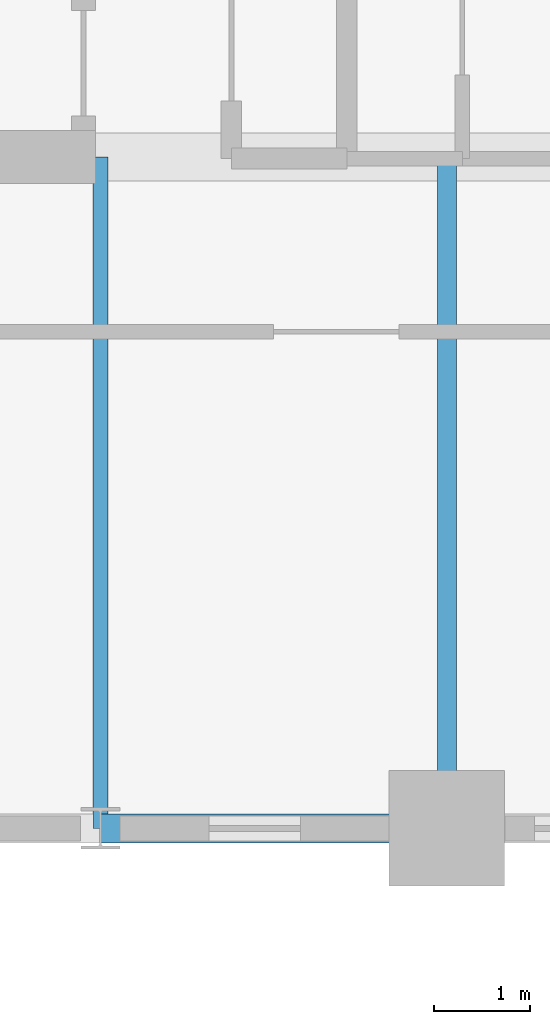
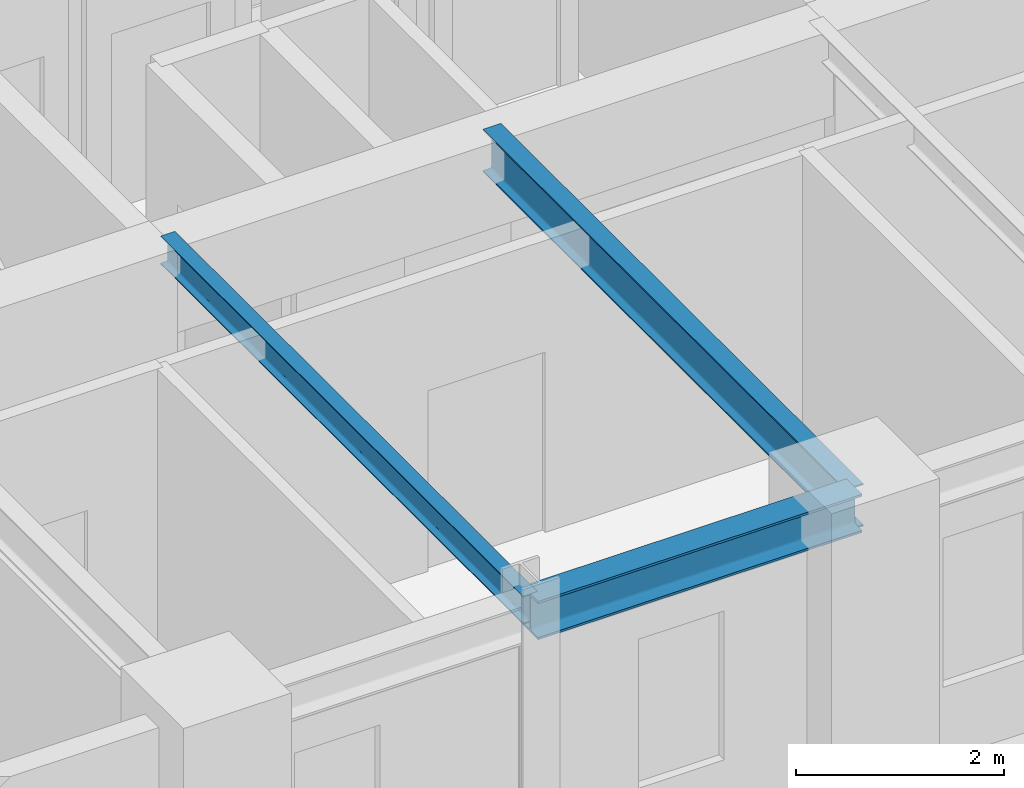
# One storey, part 3 of 17: 3 beams.
"""IFC4 building model written with IfcOpenShell, lengths in metres."""

from ifc_helpers import new_model, si_unit, direction, frame, origin, origin_2d, place, context, subcontext, project, spatial, i_section, extrude, source, transform, mapped, material, material_profile, profile_set, type_object, element, save


model = new_model("IFC4")

# Units and contexts
model_context = context("Model", 3, precision=1e-05, world=origin(), true_north=direction((0.0, 1.0)))
body_context = subcontext(model_context, "Body", "Model", "MODEL_VIEW")
ifc_project = project(units=[si_unit("LENGTHUNIT", "METRE"), si_unit("AREAUNIT", "SQUARE_METRE"), si_unit("VOLUMEUNIT", "CUBIC_METRE"), si_unit("PLANEANGLEUNIT", "RADIAN"), si_unit("MASSUNIT", "GRAM", prefix="KILO")], contexts=[model_context])

# Site, building, storey
site_placement = place(None, origin())
site = spatial("IfcSite", under=ifc_project, at=site_placement, CompositionType="ELEMENT")
building_placement = place(site_placement, origin())
building = spatial("IfcBuilding", under=site, at=building_placement, Name="Kaliganga Portal Commons", CompositionType="ELEMENT")
storey_placement = place(building_placement, frame((0.0, 0.0, 108.199951171875)))
storey = spatial("IfcBuildingStorey", under=building, at=storey_placement, Name="L27", CompositionType="ELEMENT", Elevation=108.199951171875)

# Beams
ifc_material = material(Name="Structural steel S355J2", Category="steel")
ifc_material_profile_1 = material_profile(ifc_material, i_section(OverallWidth=0.199951171875, OverallDepth=0.5, WebThickness=0.01025390625, FlangeThickness=0.01611328125, FilletRadius=0.02099609375, at=origin_2d()), Name="IPE 500")
ifc_profile_set_1 = profile_set([ifc_material_profile_1], Name="Structural steel S355J2 wide-flange")
beam_type_1 = type_object("IfcBeamType", Name="BM-FLR-500", PredefinedType="BEAM", material=ifc_profile_set_1)
shared_shape_1 = source(origin(), body_context, "Body", "SweptSolid", [
    extrude(i_section(OverallWidth=0.199951171875, OverallDepth=0.5, WebThickness=0.01025390625, FlangeThickness=0.01611328125, FilletRadius=0.02099609375, at=origin_2d()), origin(), (0.0, 0.0, 1.0), 6.974853515625),
])
beam_1_placement = place(storey_placement, frame((21.60009765625, 21.60009765625, 3.199951171875), z_axis=(0.0, 1.0, 0.0), x_axis=(-1.0, 0.0, 0.0)))
element("IfcBeam", 1, at=beam_1_placement, inside=storey, type_object=beam_type_1, Name="BM G L27 AS216", PredefinedType="BEAM", context=body_context, shape_type="MappedRepresentation", body=[
    mapped(shared_shape_1, transform((0.0, 0.0, 0.0), x_axis=(1.0, 0.0, 0.0), y_axis=(0.0, 1.0, 0.0), z_axis=(0.0, 0.0, 1.0), scale=1.0)),
])
ifc_material_profile_2 = material_profile(ifc_material, i_section(OverallWidth=0.300048828125, OverallDepth=0.449951171875, WebThickness=0.013916015625, FlangeThickness=0.02587890625, FilletRadius=0.027099609375, at=origin_2d()), Name="HE 450 B")
ifc_profile_set_2 = profile_set([ifc_material_profile_2], Name="Structural steel S355J2 wide-flange")
beam_type_2 = type_object("IfcBeamType", Name="BM-SPAND-450", PredefinedType="SPANDREL", material=ifc_profile_set_2)
shared_shape_2 = source(origin(), body_context, "Body", "SweptSolid", [
    extrude(i_section(OverallWidth=0.300048828125, OverallDepth=0.449951171875, WebThickness=0.013916015625, FlangeThickness=0.02587890625, FilletRadius=0.027099609375, at=origin_2d()), origin(), (0.0, 0.0, 1.0), 3.60009765625),
])
beam_2_placement = place(storey_placement, frame((18.0, 21.60009765625, 3.22509765625), z_axis=(1.0, 0.0, 0.0), x_axis=(0.0, 1.0, 0.0)))
element("IfcBeam", 2, at=beam_2_placement, inside=storey, type_object=beam_type_2, Name="BM SP L27 AS 2", PredefinedType="SPANDREL", context=body_context, shape_type="MappedRepresentation", body=[
    mapped(shared_shape_2, transform((0.0, 0.0, 0.0), x_axis=(1.0, 0.0, 0.0), y_axis=(0.0, 1.0, 0.0), z_axis=(0.0, 0.0, 1.0), scale=1.0)),
])
ifc_material_profile_3 = material_profile(ifc_material, i_section(OverallWidth=0.159912109375, OverallDepth=0.330078125, WebThickness=0.007568359375, FlangeThickness=0.011474609375, FilletRadius=0.01806640625, at=origin_2d()), Name="IPE 330")
ifc_profile_set_3 = profile_set([ifc_material_profile_3], Name="Structural steel S355J2 wide-flange")
beam_type_3 = type_object("IfcBeamType", Name="BM-JST-330", PredefinedType="JOIST", material=ifc_profile_set_3)
shared_shape_3 = source(origin(), body_context, "Body", "SweptSolid", [
    extrude(i_section(OverallWidth=0.159912109375, OverallDepth=0.330078125, WebThickness=0.007568359375, FlangeThickness=0.011474609375, FilletRadius=0.01806640625, at=origin_2d()), origin(), (0.0, 0.0, 1.0), 6.974853515625),
])
beam_3_placement = place(storey_placement, frame((18.0, 21.60009765625, 3.28515625), z_axis=(0.0, 1.0, 0.0), x_axis=(-1.0, 0.0, 0.0)))
element("IfcBeam", 3, at=beam_3_placement, inside=storey, type_object=beam_type_3, Name="BM G L27 AS180", PredefinedType="JOIST", context=body_context, shape_type="MappedRepresentation", body=[
    mapped(shared_shape_3, transform((0.0, 0.0, 0.0), x_axis=(1.0, 0.0, 0.0), y_axis=(0.0, 1.0, 0.0), z_axis=(0.0, 0.0, 1.0), scale=1.0)),
])

save(model, "model.ifc")
